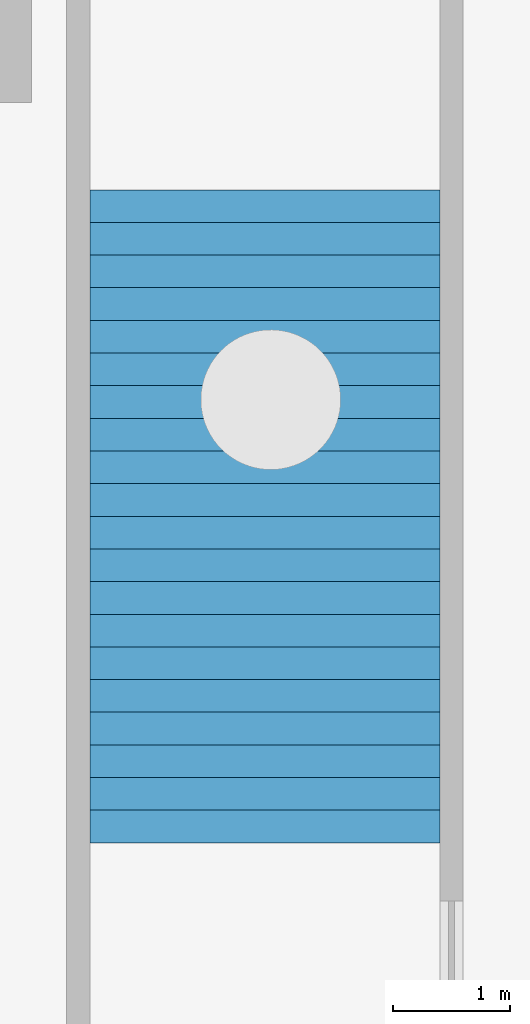
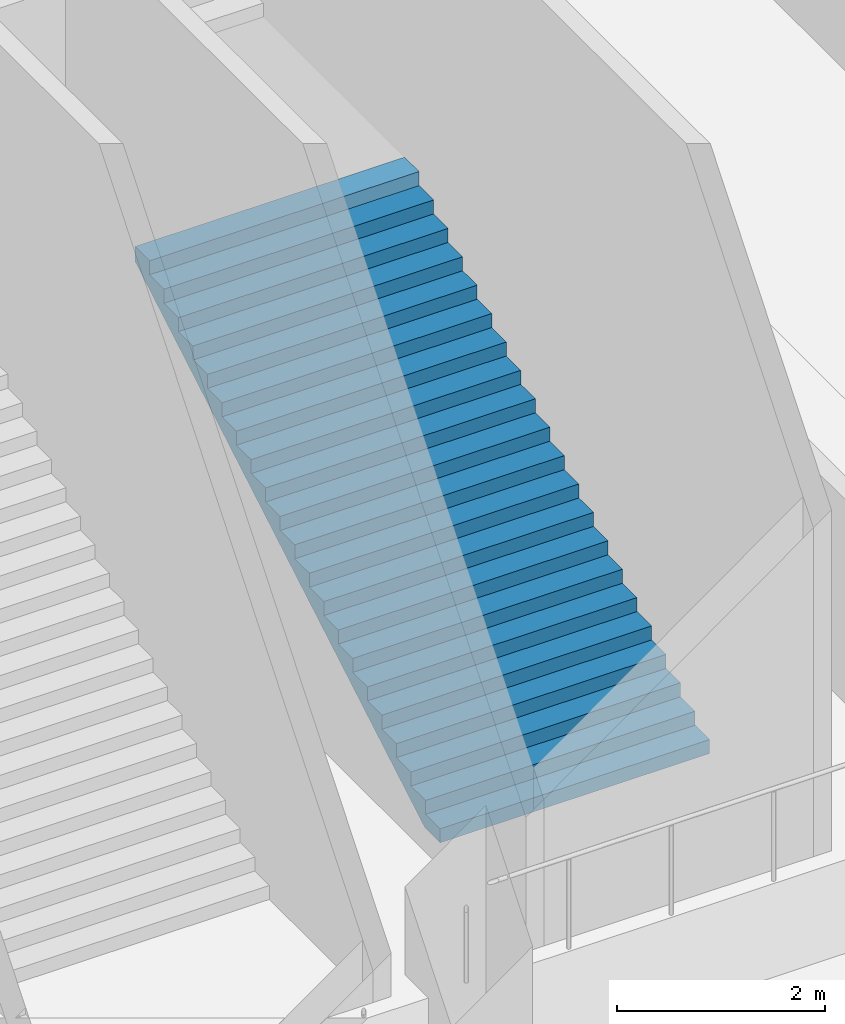
# One storey, part 8 of 16: 1 stair flight, 1 element without a shape of its own.
"""IFC4 building model written with IfcOpenShell, lengths in metres."""

from ifc_helpers import new_model, si_unit, direction, frame, origin, place, context, subcontext, project, spatial, faceted_brep, material, type_object, element, aggregate, save


model = new_model("IFC4")

# Units and contexts
model_context = context("Model", 3, precision=1e-05, world=origin(), true_north=direction((0.0, 1.0)))
body_context = subcontext(model_context, "Body", "Model", "MODEL_VIEW")
ifc_project = project(units=[si_unit("LENGTHUNIT", "METRE"), si_unit("AREAUNIT", "SQUARE_METRE"), si_unit("VOLUMEUNIT", "CUBIC_METRE"), si_unit("PLANEANGLEUNIT", "RADIAN"), si_unit("MASSUNIT", "GRAM", prefix="KILO")], contexts=[model_context])

# Site, building, storey
site_placement = place(None, origin())
site = spatial("IfcSite", under=ifc_project, at=site_placement, CompositionType="ELEMENT")
building_placement = place(site_placement, origin())
building = spatial("IfcBuilding", under=site, at=building_placement, Name="Ogive Plaza Stadium", CompositionType="ELEMENT")
storey_placement = place(building_placement, frame((0.0, 0.0, -11.39990234375)))
storey = spatial("IfcBuildingStorey", under=building, at=storey_placement, Name="B2", CompositionType="ELEMENT", Elevation=-11.39990234375)

# Stair, stair flight
ifc_material_1 = material(Name="Concrete C40/50", Category="concrete")
stair_type = type_object("IfcStairType", Name="Station stair 3000", PredefinedType="TWO_STRAIGHT_RUN_STAIR", material=ifc_material_1)
stair_placement = place(storey_placement, origin())
stair = element("IfcStair", 1, at=stair_placement, inside=storey, type_object=stair_type, Name="Stair PS2", PredefinedType="TWO_STRAIGHT_RUN_STAIR")
ifc_material_2 = material(Name="Concrete C40/50", Category="concrete")
stair_flight_type = type_object("IfcStairFlightType", Name="Station stair flight 3000", PredefinedType="STRAIGHT", material=ifc_material_2)
stair_flight_placement = place(storey_placement, frame((109.949951171875, -42.800048828125, 0.0), z_axis=(0.0, 0.0, 1.0), x_axis=(0.0, 1.0, 0.0)))
stair_flight = element("IfcStairFlight", 2, at=stair_flight_placement, type_object=stair_flight_type, Name="PS2 flight 1", NumberOfRisers=21, NumberOfTreads=20, PredefinedType="STRAIGHT", RiserHeight=0.164285714, TreadLength=0.28, context=body_context, shape_type="Brep", body=[
    faceted_brep([(0.296142578125, -1.5, 0.0), (5.8798828125, -1.5, 3.276123046875), (5.8798828125, -1.5, 3.449951171875), (5.60009765625, -1.5, 3.449951171875), (5.60009765625, -1.5, 3.28564453125), (5.320068359375, -1.5, 3.28564453125), (5.320068359375, -1.5, 3.121337890625), (5.0400390625, -1.5, 3.121337890625), (5.0400390625, -1.5, 2.95703125), (4.760009765625, -1.5, 2.95703125), (4.760009765625, -1.5, 2.79296875), (4.47998046875, -1.5, 2.79296875), (4.47998046875, -1.5, 2.628662109375), (4.199951171875, -1.5, 2.628662109375), (4.199951171875, -1.5, 2.46435546875), (3.919921875, -1.5, 2.46435546875), (3.919921875, -1.5, 2.300048828125), (3.639892578125, -1.5, 2.300048828125), (3.639892578125, -1.5, 2.1357421875), (3.360107421875, -1.5, 2.1357421875), (3.360107421875, -1.5, 1.971435546875), (3.080078125, -1.5, 1.971435546875), (3.080078125, -1.5, 1.80712890625), (2.800048828125, -1.5, 1.80712890625), (2.800048828125, -1.5, 1.642822265625), (2.52001953125, -1.5, 1.642822265625), (2.52001953125, -1.5, 1.478515625), (2.239990234375, -1.5, 1.478515625), (2.239990234375, -1.5, 1.314208984375), (1.9599609375, -1.5, 1.314208984375), (1.9599609375, -1.5, 1.14990234375), (1.679931640625, -1.5, 1.14990234375), (1.679931640625, -1.5, 0.985595703125), (1.39990234375, -1.5, 0.985595703125), (1.39990234375, -1.5, 0.821533203125), (1.1201171875, -1.5, 0.821533203125), (1.1201171875, -1.5, 0.6572265625), (0.840087890625, -1.5, 0.6572265625), (0.840087890625, -1.5, 0.492919921875), (0.56005859375, -1.5, 0.492919921875), (0.56005859375, -1.5, 0.32861328125), (0.280029296875, -1.5, 0.32861328125), (0.280029296875, -1.5, 0.164306640625), (0.0, -1.5, 0.164306640625), (0.0, -1.5, 0.0), (0.0, 1.5, 0.0), (0.0, 1.5, 0.164306640625), (0.280029296875, 1.5, 0.164306640625), (0.280029296875, 1.5, 0.32861328125), (0.56005859375, 1.5, 0.32861328125), (0.56005859375, 1.5, 0.492919921875), (0.840087890625, 1.5, 0.492919921875), (0.840087890625, 1.5, 0.6572265625), (1.1201171875, 1.5, 0.6572265625), (1.1201171875, 1.5, 0.821533203125), (1.39990234375, 1.5, 0.821533203125), (1.39990234375, 1.5, 0.985595703125), (1.679931640625, 1.5, 0.985595703125), (1.679931640625, 1.5, 1.14990234375), (1.9599609375, 1.5, 1.14990234375), (1.9599609375, 1.5, 1.314208984375), (2.239990234375, 1.5, 1.314208984375), (2.239990234375, 1.5, 1.478515625), (2.52001953125, 1.5, 1.478515625), (2.52001953125, 1.5, 1.642822265625), (2.800048828125, 1.5, 1.642822265625), (2.800048828125, 1.5, 1.80712890625), (3.080078125, 1.5, 1.80712890625), (3.080078125, 1.5, 1.971435546875), (3.360107421875, 1.5, 1.971435546875), (3.360107421875, 1.5, 2.1357421875), (3.639892578125, 1.5, 2.1357421875), (3.639892578125, 1.5, 2.300048828125), (3.919921875, 1.5, 2.300048828125), (3.919921875, 1.5, 2.46435546875), (4.199951171875, 1.5, 2.46435546875), (4.199951171875, 1.5, 2.628662109375), (4.47998046875, 1.5, 2.628662109375), (4.47998046875, 1.5, 2.79296875), (4.760009765625, 1.5, 2.79296875), (4.760009765625, 1.5, 2.95703125), (5.0400390625, 1.5, 2.95703125), (5.0400390625, 1.5, 3.121337890625), (5.320068359375, 1.5, 3.121337890625), (5.320068359375, 1.5, 3.28564453125), (5.60009765625, 1.5, 3.28564453125), (5.60009765625, 1.5, 3.449951171875), (5.8798828125, 1.5, 3.449951171875), (5.8798828125, 1.5, 3.276123046875), (0.296142578125, 1.5, 0.0), (0.296142578125, -1.166748046875, 0.0), (5.8798828125, -1.166748046875, 3.276123046875), (0.296142578125, -0.833251953125, 0.0), (5.8798828125, -0.833251953125, 3.276123046875), (0.296142578125, -0.5, 0.0), (5.8798828125, -0.5, 3.276123046875), (0.296142578125, -0.166748046875, 0.0), (5.8798828125, -0.166748046875, 3.276123046875), (0.296142578125, 0.166748046875, 0.0), (5.8798828125, 0.166748046875, 3.276123046875), (0.296142578125, 0.5, 0.0), (5.8798828125, 0.5, 3.276123046875), (0.296142578125, 0.833251953125, 0.0), (5.8798828125, 0.833251953125, 3.276123046875), (0.296142578125, 1.166748046875, 0.0), (5.8798828125, 1.166748046875, 3.276123046875), (5.8798828125, -1.166748046875, 3.449951171875), (5.8798828125, -0.833251953125, 3.449951171875), (5.8798828125, -0.5, 3.449951171875), (5.8798828125, -0.166748046875, 3.449951171875), (5.8798828125, 0.166748046875, 3.449951171875), (5.8798828125, 0.5, 3.449951171875), (5.8798828125, 0.833251953125, 3.449951171875), (5.8798828125, 1.166748046875, 3.449951171875), (5.60009765625, -1.166748046875, 3.449951171875), (5.60009765625, -0.833251953125, 3.449951171875), (5.60009765625, -0.5, 3.449951171875), (5.60009765625, -0.166748046875, 3.449951171875), (5.60009765625, 0.166748046875, 3.449951171875), (5.60009765625, 0.5, 3.449951171875), (5.60009765625, 0.833251953125, 3.449951171875), (5.60009765625, 1.166748046875, 3.449951171875), (5.60009765625, -1.166748046875, 3.28564453125), (5.60009765625, -0.833251953125, 3.28564453125), (5.60009765625, -0.5, 3.28564453125), (5.60009765625, -0.166748046875, 3.28564453125), (5.60009765625, 0.166748046875, 3.28564453125), (5.60009765625, 0.5, 3.28564453125), (5.60009765625, 0.833251953125, 3.28564453125), (5.60009765625, 1.166748046875, 3.28564453125), (5.320068359375, -1.166748046875, 3.28564453125), (5.320068359375, -0.833251953125, 3.28564453125), (5.320068359375, -0.5, 3.28564453125), (5.320068359375, -0.166748046875, 3.28564453125), (5.320068359375, 0.166748046875, 3.28564453125), (5.320068359375, 0.5, 3.28564453125), (5.320068359375, 0.833251953125, 3.28564453125), (5.320068359375, 1.166748046875, 3.28564453125), (5.320068359375, -1.166748046875, 3.121337890625), (5.320068359375, -0.833251953125, 3.121337890625), (5.320068359375, -0.5, 3.121337890625), (5.320068359375, -0.166748046875, 3.121337890625), (5.320068359375, 0.166748046875, 3.121337890625), (5.320068359375, 0.5, 3.121337890625), (5.320068359375, 0.833251953125, 3.121337890625), (5.320068359375, 1.166748046875, 3.121337890625), (5.0400390625, -1.166748046875, 3.121337890625), (5.0400390625, -0.833251953125, 3.121337890625), (5.0400390625, -0.5, 3.121337890625), (5.0400390625, -0.166748046875, 3.121337890625), (5.0400390625, 0.166748046875, 3.121337890625), (5.0400390625, 0.5, 3.121337890625), (5.0400390625, 0.833251953125, 3.121337890625), (5.0400390625, 1.166748046875, 3.121337890625), (5.0400390625, -1.166748046875, 2.95703125), (5.0400390625, -0.833251953125, 2.95703125), (5.0400390625, -0.5, 2.95703125), (5.0400390625, -0.166748046875, 2.95703125), (5.0400390625, 0.166748046875, 2.95703125), (5.0400390625, 0.5, 2.95703125), (5.0400390625, 0.833251953125, 2.95703125), (5.0400390625, 1.166748046875, 2.95703125), (4.760009765625, -1.166748046875, 2.95703125), (4.760009765625, -0.833251953125, 2.95703125), (4.760009765625, -0.5, 2.95703125), (4.760009765625, -0.166748046875, 2.95703125), (4.760009765625, 0.166748046875, 2.95703125), (4.760009765625, 0.5, 2.95703125), (4.760009765625, 0.833251953125, 2.95703125), (4.760009765625, 1.166748046875, 2.95703125), (4.760009765625, -1.166748046875, 2.79296875), (4.760009765625, -0.833251953125, 2.79296875), (4.760009765625, -0.5, 2.79296875), (4.760009765625, -0.166748046875, 2.79296875), (4.760009765625, 0.166748046875, 2.79296875), (4.760009765625, 0.5, 2.79296875), (4.760009765625, 0.833251953125, 2.79296875), (4.760009765625, 1.166748046875, 2.79296875), (4.47998046875, -1.166748046875, 2.79296875), (4.47998046875, -0.833251953125, 2.79296875), (4.47998046875, -0.5, 2.79296875), (4.47998046875, -0.166748046875, 2.79296875), (4.47998046875, 0.166748046875, 2.79296875), (4.47998046875, 0.5, 2.79296875), (4.47998046875, 0.833251953125, 2.79296875), (4.47998046875, 1.166748046875, 2.79296875), (4.47998046875, -1.166748046875, 2.628662109375), (4.47998046875, -0.833251953125, 2.628662109375), (4.47998046875, -0.5, 2.628662109375), (4.47998046875, -0.166748046875, 2.628662109375), (4.47998046875, 0.166748046875, 2.628662109375), (4.47998046875, 0.5, 2.628662109375), (4.47998046875, 0.833251953125, 2.628662109375), (4.47998046875, 1.166748046875, 2.628662109375), (4.199951171875, -1.166748046875, 2.628662109375), (4.199951171875, -0.833251953125, 2.628662109375), (4.199951171875, -0.5, 2.628662109375), (4.199951171875, -0.166748046875, 2.628662109375), (4.199951171875, 0.166748046875, 2.628662109375), (4.199951171875, 0.5, 2.628662109375), (4.199951171875, 0.833251953125, 2.628662109375), (4.199951171875, 1.166748046875, 2.628662109375), (4.199951171875, -1.166748046875, 2.46435546875), (4.199951171875, -0.833251953125, 2.46435546875), (4.199951171875, -0.5, 2.46435546875), (4.199951171875, -0.166748046875, 2.46435546875), (4.199951171875, 0.166748046875, 2.46435546875), (4.199951171875, 0.5, 2.46435546875), (4.199951171875, 0.833251953125, 2.46435546875), (4.199951171875, 1.166748046875, 2.46435546875), (3.919921875, -1.166748046875, 2.46435546875), (3.919921875, -0.833251953125, 2.46435546875), (3.919921875, -0.5, 2.46435546875), (3.919921875, -0.166748046875, 2.46435546875), (3.919921875, 0.166748046875, 2.46435546875), (3.919921875, 0.5, 2.46435546875), (3.919921875, 0.833251953125, 2.46435546875), (3.919921875, 1.166748046875, 2.46435546875), (3.919921875, -1.166748046875, 2.300048828125), (3.919921875, -0.833251953125, 2.300048828125), (3.919921875, -0.5, 2.300048828125), (3.919921875, -0.166748046875, 2.300048828125), (3.919921875, 0.166748046875, 2.300048828125), (3.919921875, 0.5, 2.300048828125), (3.919921875, 0.833251953125, 2.300048828125), (3.919921875, 1.166748046875, 2.300048828125), (3.639892578125, -1.166748046875, 2.300048828125), (3.639892578125, -0.833251953125, 2.300048828125), (3.639892578125, -0.5, 2.300048828125), (3.639892578125, -0.166748046875, 2.300048828125), (3.639892578125, 0.166748046875, 2.300048828125), (3.639892578125, 0.5, 2.300048828125), (3.639892578125, 0.833251953125, 2.300048828125), (3.639892578125, 1.166748046875, 2.300048828125), (3.639892578125, -1.166748046875, 2.1357421875), (3.639892578125, -0.833251953125, 2.1357421875), (3.639892578125, -0.5, 2.1357421875), (3.639892578125, -0.166748046875, 2.1357421875), (3.639892578125, 0.166748046875, 2.1357421875), (3.639892578125, 0.5, 2.1357421875), (3.639892578125, 0.833251953125, 2.1357421875), (3.639892578125, 1.166748046875, 2.1357421875), (3.360107421875, -1.166748046875, 2.1357421875), (3.360107421875, -0.833251953125, 2.1357421875), (3.360107421875, -0.5, 2.1357421875), (3.360107421875, -0.166748046875, 2.1357421875), (3.360107421875, 0.166748046875, 2.1357421875), (3.360107421875, 0.5, 2.1357421875), (3.360107421875, 0.833251953125, 2.1357421875), (3.360107421875, 1.166748046875, 2.1357421875), (3.360107421875, -1.166748046875, 1.971435546875), (3.360107421875, -0.833251953125, 1.971435546875), (3.360107421875, -0.5, 1.971435546875), (3.360107421875, -0.166748046875, 1.971435546875), (3.360107421875, 0.166748046875, 1.971435546875), (3.360107421875, 0.5, 1.971435546875), (3.360107421875, 0.833251953125, 1.971435546875), (3.360107421875, 1.166748046875, 1.971435546875), (3.080078125, -1.166748046875, 1.971435546875), (3.080078125, -0.833251953125, 1.971435546875), (3.080078125, -0.5, 1.971435546875), (3.080078125, -0.166748046875, 1.971435546875), (3.080078125, 0.166748046875, 1.971435546875), (3.080078125, 0.5, 1.971435546875), (3.080078125, 0.833251953125, 1.971435546875), (3.080078125, 1.166748046875, 1.971435546875), (3.080078125, -1.166748046875, 1.80712890625), (3.080078125, -0.833251953125, 1.80712890625), (3.080078125, -0.5, 1.80712890625), (3.080078125, -0.166748046875, 1.80712890625), (3.080078125, 0.166748046875, 1.80712890625), (3.080078125, 0.5, 1.80712890625), (3.080078125, 0.833251953125, 1.80712890625), (3.080078125, 1.166748046875, 1.80712890625), (2.800048828125, -1.166748046875, 1.80712890625), (2.800048828125, -0.833251953125, 1.80712890625), (2.800048828125, -0.5, 1.80712890625), (2.800048828125, -0.166748046875, 1.80712890625), (2.800048828125, 0.166748046875, 1.80712890625), (2.800048828125, 0.5, 1.80712890625), (2.800048828125, 0.833251953125, 1.80712890625), (2.800048828125, 1.166748046875, 1.80712890625), (2.800048828125, -1.166748046875, 1.642822265625), (2.800048828125, -0.833251953125, 1.642822265625), (2.800048828125, -0.5, 1.642822265625), (2.800048828125, -0.166748046875, 1.642822265625), (2.800048828125, 0.166748046875, 1.642822265625), (2.800048828125, 0.5, 1.642822265625), (2.800048828125, 0.833251953125, 1.642822265625), (2.800048828125, 1.166748046875, 1.642822265625), (2.52001953125, -1.166748046875, 1.642822265625), (2.52001953125, -0.833251953125, 1.642822265625), (2.52001953125, -0.5, 1.642822265625), (2.52001953125, -0.166748046875, 1.642822265625), (2.52001953125, 0.166748046875, 1.642822265625), (2.52001953125, 0.5, 1.642822265625), (2.52001953125, 0.833251953125, 1.642822265625), (2.52001953125, 1.166748046875, 1.642822265625), (2.52001953125, -1.166748046875, 1.478515625), (2.52001953125, -0.833251953125, 1.478515625), (2.52001953125, -0.5, 1.478515625), (2.52001953125, -0.166748046875, 1.478515625), (2.52001953125, 0.166748046875, 1.478515625), (2.52001953125, 0.5, 1.478515625), (2.52001953125, 0.833251953125, 1.478515625), (2.52001953125, 1.166748046875, 1.478515625), (2.239990234375, -1.166748046875, 1.478515625), (2.239990234375, -0.833251953125, 1.478515625), (2.239990234375, -0.5, 1.478515625), (2.239990234375, -0.166748046875, 1.478515625), (2.239990234375, 0.166748046875, 1.478515625), (2.239990234375, 0.5, 1.478515625), (2.239990234375, 0.833251953125, 1.478515625), (2.239990234375, 1.166748046875, 1.478515625), (2.239990234375, -1.166748046875, 1.314208984375), (2.239990234375, -0.833251953125, 1.314208984375), (2.239990234375, -0.5, 1.314208984375), (2.239990234375, -0.166748046875, 1.314208984375), (2.239990234375, 0.166748046875, 1.314208984375), (2.239990234375, 0.5, 1.314208984375), (2.239990234375, 0.833251953125, 1.314208984375), (2.239990234375, 1.166748046875, 1.314208984375), (1.9599609375, -1.166748046875, 1.314208984375), (1.9599609375, -0.833251953125, 1.314208984375), (1.9599609375, -0.5, 1.314208984375), (1.9599609375, -0.166748046875, 1.314208984375), (1.9599609375, 0.166748046875, 1.314208984375), (1.9599609375, 0.5, 1.314208984375), (1.9599609375, 0.833251953125, 1.314208984375), (1.9599609375, 1.166748046875, 1.314208984375), (1.9599609375, -1.166748046875, 1.14990234375), (1.9599609375, -0.833251953125, 1.14990234375), (1.9599609375, -0.5, 1.14990234375), (1.9599609375, -0.166748046875, 1.14990234375), (1.9599609375, 0.166748046875, 1.14990234375), (1.9599609375, 0.5, 1.14990234375), (1.9599609375, 0.833251953125, 1.14990234375), (1.9599609375, 1.166748046875, 1.14990234375), (1.679931640625, -1.166748046875, 1.14990234375), (1.679931640625, -0.833251953125, 1.14990234375), (1.679931640625, -0.5, 1.14990234375), (1.679931640625, -0.166748046875, 1.14990234375), (1.679931640625, 0.166748046875, 1.14990234375), (1.679931640625, 0.5, 1.14990234375), (1.679931640625, 0.833251953125, 1.14990234375), (1.679931640625, 1.166748046875, 1.14990234375), (1.679931640625, -1.166748046875, 0.985595703125), (1.679931640625, -0.833251953125, 0.985595703125), (1.679931640625, -0.5, 0.985595703125), (1.679931640625, -0.166748046875, 0.985595703125), (1.679931640625, 0.166748046875, 0.985595703125), (1.679931640625, 0.5, 0.985595703125), (1.679931640625, 0.833251953125, 0.985595703125), (1.679931640625, 1.166748046875, 0.985595703125), (1.39990234375, -1.166748046875, 0.985595703125), (1.39990234375, -0.833251953125, 0.985595703125), (1.39990234375, -0.5, 0.985595703125), (1.39990234375, -0.166748046875, 0.985595703125), (1.39990234375, 0.166748046875, 0.985595703125), (1.39990234375, 0.5, 0.985595703125), (1.39990234375, 0.833251953125, 0.985595703125), (1.39990234375, 1.166748046875, 0.985595703125), (1.39990234375, -1.166748046875, 0.821533203125), (1.39990234375, -0.833251953125, 0.821533203125), (1.39990234375, -0.5, 0.821533203125), (1.39990234375, -0.166748046875, 0.821533203125), (1.39990234375, 0.166748046875, 0.821533203125), (1.39990234375, 0.5, 0.821533203125), (1.39990234375, 0.833251953125, 0.821533203125), (1.39990234375, 1.166748046875, 0.821533203125), (1.1201171875, -1.166748046875, 0.821533203125), (1.1201171875, -0.833251953125, 0.821533203125), (1.1201171875, -0.5, 0.821533203125), (1.1201171875, -0.166748046875, 0.821533203125), (1.1201171875, 0.166748046875, 0.821533203125), (1.1201171875, 0.5, 0.821533203125), (1.1201171875, 0.833251953125, 0.821533203125), (1.1201171875, 1.166748046875, 0.821533203125), (1.1201171875, -1.166748046875, 0.6572265625), (1.1201171875, -0.833251953125, 0.6572265625), (1.1201171875, -0.5, 0.6572265625), (1.1201171875, -0.166748046875, 0.6572265625), (1.1201171875, 0.166748046875, 0.6572265625), (1.1201171875, 0.5, 0.6572265625), (1.1201171875, 0.833251953125, 0.6572265625), (1.1201171875, 1.166748046875, 0.6572265625), (0.840087890625, -1.166748046875, 0.6572265625), (0.840087890625, -0.833251953125, 0.6572265625), (0.840087890625, -0.5, 0.6572265625), (0.840087890625, -0.166748046875, 0.6572265625), (0.840087890625, 0.166748046875, 0.6572265625), (0.840087890625, 0.5, 0.6572265625), (0.840087890625, 0.833251953125, 0.6572265625), (0.840087890625, 1.166748046875, 0.6572265625), (0.840087890625, -1.166748046875, 0.492919921875), (0.840087890625, -0.833251953125, 0.492919921875), (0.840087890625, -0.5, 0.492919921875), (0.840087890625, -0.166748046875, 0.492919921875), (0.840087890625, 0.166748046875, 0.492919921875), (0.840087890625, 0.5, 0.492919921875), (0.840087890625, 0.833251953125, 0.492919921875), (0.840087890625, 1.166748046875, 0.492919921875), (0.56005859375, -1.166748046875, 0.492919921875), (0.56005859375, -0.833251953125, 0.492919921875), (0.56005859375, -0.5, 0.492919921875), (0.56005859375, -0.166748046875, 0.492919921875), (0.56005859375, 0.166748046875, 0.492919921875), (0.56005859375, 0.5, 0.492919921875), (0.56005859375, 0.833251953125, 0.492919921875), (0.56005859375, 1.166748046875, 0.492919921875), (0.56005859375, -1.166748046875, 0.32861328125), (0.56005859375, -0.833251953125, 0.32861328125), (0.56005859375, -0.5, 0.32861328125), (0.56005859375, -0.166748046875, 0.32861328125), (0.56005859375, 0.166748046875, 0.32861328125), (0.56005859375, 0.5, 0.32861328125), (0.56005859375, 0.833251953125, 0.32861328125), (0.56005859375, 1.166748046875, 0.32861328125), (0.280029296875, -1.166748046875, 0.32861328125), (0.280029296875, -0.833251953125, 0.32861328125), (0.280029296875, -0.5, 0.32861328125), (0.280029296875, -0.166748046875, 0.32861328125), (0.280029296875, 0.166748046875, 0.32861328125), (0.280029296875, 0.5, 0.32861328125), (0.280029296875, 0.833251953125, 0.32861328125), (0.280029296875, 1.166748046875, 0.32861328125), (0.280029296875, -1.166748046875, 0.164306640625), (0.280029296875, -0.833251953125, 0.164306640625), (0.280029296875, -0.5, 0.164306640625), (0.280029296875, -0.166748046875, 0.164306640625), (0.280029296875, 0.166748046875, 0.164306640625), (0.280029296875, 0.5, 0.164306640625), (0.280029296875, 0.833251953125, 0.164306640625), (0.280029296875, 1.166748046875, 0.164306640625), (0.0, -1.166748046875, 0.164306640625), (0.0, -0.833251953125, 0.164306640625), (0.0, -0.5, 0.164306640625), (0.0, -0.166748046875, 0.164306640625), (0.0, 0.166748046875, 0.164306640625), (0.0, 0.5, 0.164306640625), (0.0, 0.833251953125, 0.164306640625), (0.0, 1.166748046875, 0.164306640625), (0.0, -1.166748046875, 0.0), (0.0, -0.833251953125, 0.0), (0.0, -0.5, 0.0), (0.0, -0.166748046875, 0.0), (0.0, 0.166748046875, 0.0), (0.0, 0.5, 0.0), (0.0, 0.833251953125, 0.0), (0.0, 1.166748046875, 0.0)], [[[0, 1, 2, 3, 4, 5, 6, 7, 8, 9, 10, 11, 12, 13, 14, 15, 16, 17, 18, 19, 20, 21, 22, 23, 24, 25, 26, 27, 28, 29, 30, 31, 32, 33, 34, 35, 36, 37, 38, 39, 40, 41, 42, 43, 44]], [[45, 46, 47, 48, 49, 50, 51, 52, 53, 54, 55, 56, 57, 58, 59, 60, 61, 62, 63, 64, 65, 66, 67, 68, 69, 70, 71, 72, 73, 74, 75, 76, 77, 78, 79, 80, 81, 82, 83, 84, 85, 86, 87, 88, 89]], [[0, 90, 91, 1]], [[90, 92, 93, 91]], [[92, 94, 95, 93]], [[94, 96, 97, 95]], [[96, 98, 99, 97]], [[98, 100, 101, 99]], [[100, 102, 103, 101]], [[102, 104, 105, 103]], [[104, 89, 88, 105]], [[1, 91, 106, 2]], [[91, 93, 107, 106]], [[93, 95, 108, 107]], [[95, 97, 109, 108]], [[97, 99, 110, 109]], [[99, 101, 111, 110]], [[101, 103, 112, 111]], [[103, 105, 113, 112]], [[105, 88, 87, 113]], [[2, 106, 114, 3]], [[106, 107, 115, 114]], [[107, 108, 116, 115]], [[108, 109, 117, 116]], [[109, 110, 118, 117]], [[110, 111, 119, 118]], [[111, 112, 120, 119]], [[112, 113, 121, 120]], [[113, 87, 86, 121]], [[3, 114, 122, 4]], [[114, 115, 123, 122]], [[115, 116, 124, 123]], [[116, 117, 125, 124]], [[117, 118, 126, 125]], [[118, 119, 127, 126]], [[119, 120, 128, 127]], [[120, 121, 129, 128]], [[121, 86, 85, 129]], [[4, 122, 130, 5]], [[122, 123, 131, 130]], [[123, 124, 132, 131]], [[124, 125, 133, 132]], [[125, 126, 134, 133]], [[126, 127, 135, 134]], [[127, 128, 136, 135]], [[128, 129, 137, 136]], [[129, 85, 84, 137]], [[5, 130, 138, 6]], [[130, 131, 139, 138]], [[131, 132, 140, 139]], [[132, 133, 141, 140]], [[133, 134, 142, 141]], [[134, 135, 143, 142]], [[135, 136, 144, 143]], [[136, 137, 145, 144]], [[137, 84, 83, 145]], [[6, 138, 146, 7]], [[138, 139, 147, 146]], [[139, 140, 148, 147]], [[140, 141, 149, 148]], [[141, 142, 150, 149]], [[142, 143, 151, 150]], [[143, 144, 152, 151]], [[144, 145, 153, 152]], [[145, 83, 82, 153]], [[7, 146, 154, 8]], [[146, 147, 155, 154]], [[147, 148, 156, 155]], [[148, 149, 157, 156]], [[149, 150, 158, 157]], [[150, 151, 159, 158]], [[151, 152, 160, 159]], [[152, 153, 161, 160]], [[153, 82, 81, 161]], [[8, 154, 162, 9]], [[154, 155, 163, 162]], [[155, 156, 164, 163]], [[156, 157, 165, 164]], [[157, 158, 166, 165]], [[158, 159, 167, 166]], [[159, 160, 168, 167]], [[160, 161, 169, 168]], [[161, 81, 80, 169]], [[9, 162, 170, 10]], [[162, 163, 171, 170]], [[163, 164, 172, 171]], [[164, 165, 173, 172]], [[165, 166, 174, 173]], [[166, 167, 175, 174]], [[167, 168, 176, 175]], [[168, 169, 177, 176]], [[169, 80, 79, 177]], [[10, 170, 178, 11]], [[170, 171, 179, 178]], [[171, 172, 180, 179]], [[172, 173, 181, 180]], [[173, 174, 182, 181]], [[174, 175, 183, 182]], [[175, 176, 184, 183]], [[176, 177, 185, 184]], [[177, 79, 78, 185]], [[11, 178, 186, 12]], [[178, 179, 187, 186]], [[179, 180, 188, 187]], [[180, 181, 189, 188]], [[181, 182, 190, 189]], [[182, 183, 191, 190]], [[183, 184, 192, 191]], [[184, 185, 193, 192]], [[185, 78, 77, 193]], [[12, 186, 194, 13]], [[186, 187, 195, 194]], [[187, 188, 196, 195]], [[188, 189, 197, 196]], [[189, 190, 198, 197]], [[190, 191, 199, 198]], [[191, 192, 200, 199]], [[192, 193, 201, 200]], [[193, 77, 76, 201]], [[13, 194, 202, 14]], [[194, 195, 203, 202]], [[195, 196, 204, 203]], [[196, 197, 205, 204]], [[197, 198, 206, 205]], [[198, 199, 207, 206]], [[199, 200, 208, 207]], [[200, 201, 209, 208]], [[201, 76, 75, 209]], [[14, 202, 210, 15]], [[202, 203, 211, 210]], [[203, 204, 212, 211]], [[204, 205, 213, 212]], [[205, 206, 214, 213]], [[206, 207, 215, 214]], [[207, 208, 216, 215]], [[208, 209, 217, 216]], [[209, 75, 74, 217]], [[15, 210, 218, 16]], [[210, 211, 219, 218]], [[211, 212, 220, 219]], [[212, 213, 221, 220]], [[213, 214, 222, 221]], [[214, 215, 223, 222]], [[215, 216, 224, 223]], [[216, 217, 225, 224]], [[217, 74, 73, 225]], [[16, 218, 226, 17]], [[218, 219, 227, 226]], [[219, 220, 228, 227]], [[220, 221, 229, 228]], [[221, 222, 230, 229]], [[222, 223, 231, 230]], [[223, 224, 232, 231]], [[224, 225, 233, 232]], [[225, 73, 72, 233]], [[17, 226, 234, 18]], [[226, 227, 235, 234]], [[227, 228, 236, 235]], [[228, 229, 237, 236]], [[229, 230, 238, 237]], [[230, 231, 239, 238]], [[231, 232, 240, 239]], [[232, 233, 241, 240]], [[233, 72, 71, 241]], [[18, 234, 242, 19]], [[234, 235, 243, 242]], [[235, 236, 244, 243]], [[236, 237, 245, 244]], [[237, 238, 246, 245]], [[238, 239, 247, 246]], [[239, 240, 248, 247]], [[240, 241, 249, 248]], [[241, 71, 70, 249]], [[19, 242, 250, 20]], [[242, 243, 251, 250]], [[243, 244, 252, 251]], [[244, 245, 253, 252]], [[245, 246, 254, 253]], [[246, 247, 255, 254]], [[247, 248, 256, 255]], [[248, 249, 257, 256]], [[249, 70, 69, 257]], [[20, 250, 258, 21]], [[250, 251, 259, 258]], [[251, 252, 260, 259]], [[252, 253, 261, 260]], [[253, 254, 262, 261]], [[254, 255, 263, 262]], [[255, 256, 264, 263]], [[256, 257, 265, 264]], [[257, 69, 68, 265]], [[21, 258, 266, 22]], [[258, 259, 267, 266]], [[259, 260, 268, 267]], [[260, 261, 269, 268]], [[261, 262, 270, 269]], [[262, 263, 271, 270]], [[263, 264, 272, 271]], [[264, 265, 273, 272]], [[265, 68, 67, 273]], [[22, 266, 274, 23]], [[266, 267, 275, 274]], [[267, 268, 276, 275]], [[268, 269, 277, 276]], [[269, 270, 278, 277]], [[270, 271, 279, 278]], [[271, 272, 280, 279]], [[272, 273, 281, 280]], [[273, 67, 66, 281]], [[23, 274, 282, 24]], [[274, 275, 283, 282]], [[275, 276, 284, 283]], [[276, 277, 285, 284]], [[277, 278, 286, 285]], [[278, 279, 287, 286]], [[279, 280, 288, 287]], [[280, 281, 289, 288]], [[281, 66, 65, 289]], [[24, 282, 290, 25]], [[282, 283, 291, 290]], [[283, 284, 292, 291]], [[284, 285, 293, 292]], [[285, 286, 294, 293]], [[286, 287, 295, 294]], [[287, 288, 296, 295]], [[288, 289, 297, 296]], [[289, 65, 64, 297]], [[25, 290, 298, 26]], [[290, 291, 299, 298]], [[291, 292, 300, 299]], [[292, 293, 301, 300]], [[293, 294, 302, 301]], [[294, 295, 303, 302]], [[295, 296, 304, 303]], [[296, 297, 305, 304]], [[297, 64, 63, 305]], [[26, 298, 306, 27]], [[298, 299, 307, 306]], [[299, 300, 308, 307]], [[300, 301, 309, 308]], [[301, 302, 310, 309]], [[302, 303, 311, 310]], [[303, 304, 312, 311]], [[304, 305, 313, 312]], [[305, 63, 62, 313]], [[27, 306, 314, 28]], [[306, 307, 315, 314]], [[307, 308, 316, 315]], [[308, 309, 317, 316]], [[309, 310, 318, 317]], [[310, 311, 319, 318]], [[311, 312, 320, 319]], [[312, 313, 321, 320]], [[313, 62, 61, 321]], [[28, 314, 322, 29]], [[314, 315, 323, 322]], [[315, 316, 324, 323]], [[316, 317, 325, 324]], [[317, 318, 326, 325]], [[318, 319, 327, 326]], [[319, 320, 328, 327]], [[320, 321, 329, 328]], [[321, 61, 60, 329]], [[29, 322, 330, 30]], [[322, 323, 331, 330]], [[323, 324, 332, 331]], [[324, 325, 333, 332]], [[325, 326, 334, 333]], [[326, 327, 335, 334]], [[327, 328, 336, 335]], [[328, 329, 337, 336]], [[329, 60, 59, 337]], [[30, 330, 338, 31]], [[330, 331, 339, 338]], [[331, 332, 340, 339]], [[332, 333, 341, 340]], [[333, 334, 342, 341]], [[334, 335, 343, 342]], [[335, 336, 344, 343]], [[336, 337, 345, 344]], [[337, 59, 58, 345]], [[31, 338, 346, 32]], [[338, 339, 347, 346]], [[339, 340, 348, 347]], [[340, 341, 349, 348]], [[341, 342, 350, 349]], [[342, 343, 351, 350]], [[343, 344, 352, 351]], [[344, 345, 353, 352]], [[345, 58, 57, 353]], [[32, 346, 354, 33]], [[346, 347, 355, 354]], [[347, 348, 356, 355]], [[348, 349, 357, 356]], [[349, 350, 358, 357]], [[350, 351, 359, 358]], [[351, 352, 360, 359]], [[352, 353, 361, 360]], [[353, 57, 56, 361]], [[33, 354, 362, 34]], [[354, 355, 363, 362]], [[355, 356, 364, 363]], [[356, 357, 365, 364]], [[357, 358, 366, 365]], [[358, 359, 367, 366]], [[359, 360, 368, 367]], [[360, 361, 369, 368]], [[361, 56, 55, 369]], [[34, 362, 370, 35]], [[362, 363, 371, 370]], [[363, 364, 372, 371]], [[364, 365, 373, 372]], [[365, 366, 374, 373]], [[366, 367, 375, 374]], [[367, 368, 376, 375]], [[368, 369, 377, 376]], [[369, 55, 54, 377]], [[35, 370, 378, 36]], [[370, 371, 379, 378]], [[371, 372, 380, 379]], [[372, 373, 381, 380]], [[373, 374, 382, 381]], [[374, 375, 383, 382]], [[375, 376, 384, 383]], [[376, 377, 385, 384]], [[377, 54, 53, 385]], [[36, 378, 386, 37]], [[378, 379, 387, 386]], [[379, 380, 388, 387]], [[380, 381, 389, 388]], [[381, 382, 390, 389]], [[382, 383, 391, 390]], [[383, 384, 392, 391]], [[384, 385, 393, 392]], [[385, 53, 52, 393]], [[37, 386, 394, 38]], [[386, 387, 395, 394]], [[387, 388, 396, 395]], [[388, 389, 397, 396]], [[389, 390, 398, 397]], [[390, 391, 399, 398]], [[391, 392, 400, 399]], [[392, 393, 401, 400]], [[393, 52, 51, 401]], [[38, 394, 402, 39]], [[394, 395, 403, 402]], [[395, 396, 404, 403]], [[396, 397, 405, 404]], [[397, 398, 406, 405]], [[398, 399, 407, 406]], [[399, 400, 408, 407]], [[400, 401, 409, 408]], [[401, 51, 50, 409]], [[39, 402, 410, 40]], [[402, 403, 411, 410]], [[403, 404, 412, 411]], [[404, 405, 413, 412]], [[405, 406, 414, 413]], [[406, 407, 415, 414]], [[407, 408, 416, 415]], [[408, 409, 417, 416]], [[409, 50, 49, 417]], [[40, 410, 418, 41]], [[410, 411, 419, 418]], [[411, 412, 420, 419]], [[412, 413, 421, 420]], [[413, 414, 422, 421]], [[414, 415, 423, 422]], [[415, 416, 424, 423]], [[416, 417, 425, 424]], [[417, 49, 48, 425]], [[41, 418, 426, 42]], [[418, 419, 427, 426]], [[419, 420, 428, 427]], [[420, 421, 429, 428]], [[421, 422, 430, 429]], [[422, 423, 431, 430]], [[423, 424, 432, 431]], [[424, 425, 433, 432]], [[425, 48, 47, 433]], [[42, 426, 434, 43]], [[426, 427, 435, 434]], [[427, 428, 436, 435]], [[428, 429, 437, 436]], [[429, 430, 438, 437]], [[430, 431, 439, 438]], [[431, 432, 440, 439]], [[432, 433, 441, 440]], [[433, 47, 46, 441]], [[43, 434, 442, 44]], [[434, 435, 443, 442]], [[435, 436, 444, 443]], [[436, 437, 445, 444]], [[437, 438, 446, 445]], [[438, 439, 447, 446]], [[439, 440, 448, 447]], [[440, 441, 449, 448]], [[441, 46, 45, 449]], [[44, 442, 90, 0]], [[442, 443, 92, 90]], [[443, 444, 94, 92]], [[444, 445, 96, 94]], [[445, 446, 98, 96]], [[446, 447, 100, 98]], [[447, 448, 102, 100]], [[448, 449, 104, 102]], [[449, 45, 89, 104]]]),
])
aggregate(stair, [stair_flight])

save(model, "model.ifc")
